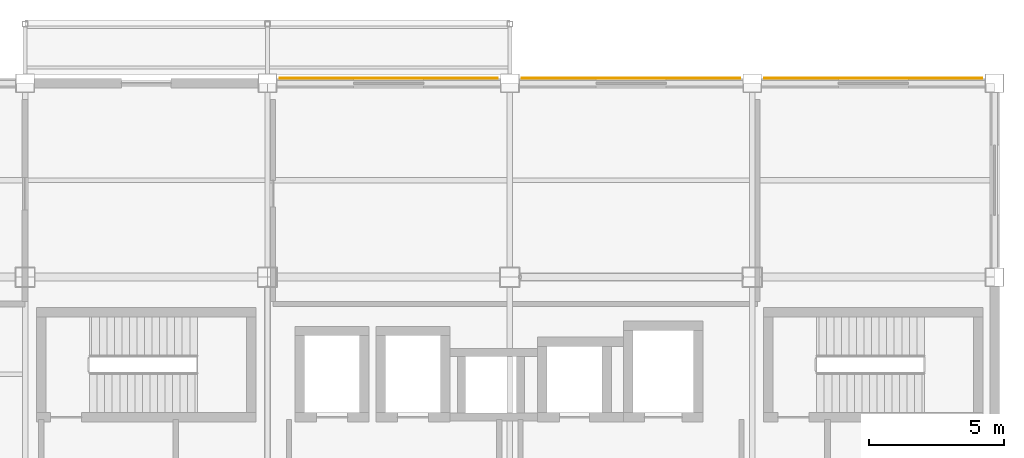
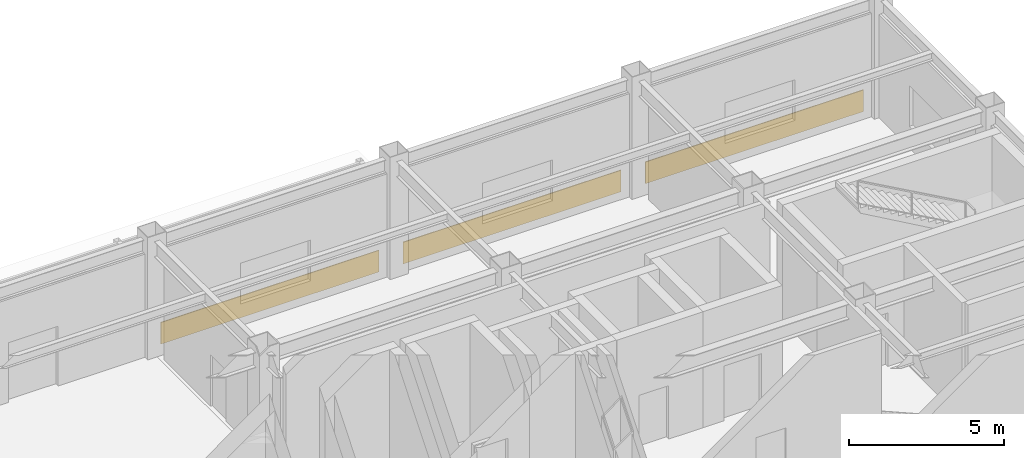
# One storey, part 111 of 112: 3 coverings.
"""IFC4 building model written with IfcOpenShell, lengths in metres."""

import ifcopenshell
import ifcopenshell.guid

model = None  # the IFC model being written
_history = None  # IfcOwnerHistory: only IFC2X3 demands one
_inside = {}  # id of a spatial element -> (the spatial element, [elements in it])
_under = {}  # id of a project, library or spatial element -> (it, [spatial elements below it])
_declared = {}  # id of a project -> (the project, [libraries it declares])
_typed = {}  # id of a type object -> (the type object, [elements of that type])
_made_of = {}  # id of a material, layer set ... -> (it, [elements and type objects made of it])


def new_model(schema):
    """Start an empty IFC model of exactly this schema.

    Asked for "IFC4X3", IfcOpenShell would pick the latest addendum, in which some entities
    have other attributes; the version numbers below select the first issue.
    IFC2X3 requires an IfcOwnerHistory on every rooted entity: one is made here for all.
    """
    global model, _history
    if schema == "IFC4X3":
        model = ifcopenshell.file(schema_version=(4, 3, 0, 0))
    else:
        model = ifcopenshell.file(schema=schema)
    _inside.clear()
    _under.clear()
    _declared.clear()
    _typed.clear()
    _made_of.clear()
    _history = None
    if model.schema == "IFC2X3":
        org = make("IfcOrganization", Name="unknown")
        user = make(
            "IfcPersonAndOrganization",
            ThePerson=make("IfcPerson", FamilyName="unknown"),
            TheOrganization=org,
        )
        app = make(
            "IfcApplication",
            ApplicationDeveloper=org,
            Version="unknown",
            ApplicationFullName="unknown",
            ApplicationIdentifier="unknown",
        )
        _history = make(
            "IfcOwnerHistory",
            OwningUser=user,
            OwningApplication=app,
            ChangeAction="ADDED",
            CreationDate=0,
        )
    return model


def make(cls, **values):
    """One entity of the class cls with the attributes given. An attribute that is None is left unset."""
    return model.create_entity(
        cls, **{name: value for name, value in values.items() if value is not None}
    )


def rooted(cls, **values):
    """An entity with a GlobalId (a new one), such as an element, a storey or a relation."""
    return make(cls, GlobalId=ifcopenshell.guid.new(), OwnerHistory=_history, **values)


def si_unit(unit_type, name, prefix=None):
    """IfcSIUnit, for example si_unit("LENGTHUNIT", "METRE", prefix="MILLI")."""
    return make("IfcSIUnit", UnitType=unit_type, Prefix=prefix, Name=name)


def assignment(units):
    """IfcUnitAssignment: the units of a project."""
    return None if units is None else make("IfcUnitAssignment", Units=units)


def point(xyz):
    """IfcCartesianPoint."""
    return None if xyz is None else make("IfcCartesianPoint", Coordinates=xyz)


def direction(xyz):
    """IfcDirection."""
    return None if xyz is None else make("IfcDirection", DirectionRatios=xyz)


def frame(location, z_axis=None, x_axis=None):
    """IfcAxis2Placement3D, a coordinate frame: its origin and axes. An axis left out is left unset."""
    return make(
        "IfcAxis2Placement3D",
        Location=point(location),
        Axis=direction(z_axis),
        RefDirection=direction(x_axis),
    )


def frame_2d(location, x_axis=None):
    """IfcAxis2Placement2D, a coordinate frame in the plane: its origin and x axis."""
    return make(
        "IfcAxis2Placement2D", Location=point(location), RefDirection=direction(x_axis)
    )


def origin():
    """The frame at (0, 0, 0) with its axes left unset."""
    return frame((0.0, 0.0, 0.0))


def origin_2d():
    """The frame at (0, 0) in the plane with its x axis left unset."""
    return frame_2d((0.0, 0.0))


def place(relative_to, where):
    """IfcLocalPlacement: puts the frame where relative to a parent placement (None: the world)."""
    return make(
        "IfcLocalPlacement", PlacementRelTo=relative_to, RelativePlacement=where
    )


def context(
    kind, dimensions, precision=None, world=None, true_north=None, identifier=None
):
    """IfcGeometricRepresentationContext, for example the 3D "Model" context."""
    return make(
        "IfcGeometricRepresentationContext",
        ContextIdentifier=identifier,
        ContextType=kind,
        CoordinateSpaceDimension=dimensions,
        Precision=precision,
        WorldCoordinateSystem=world,
        TrueNorth=true_north,
    )


def subcontext(parent, identifier, kind, view, scale=None):
    """IfcGeometricRepresentationSubContext, for example "Body" below "Model"."""
    return make(
        "IfcGeometricRepresentationSubContext",
        ContextIdentifier=identifier,
        ContextType=kind,
        ParentContext=parent,
        TargetScale=scale,
        TargetView=view,
    )


def project(units=None, contexts=None):
    """IfcProject with its units and contexts."""
    return rooted(
        "IfcProject",
        Name="project",
        RepresentationContexts=contexts,
        UnitsInContext=assignment(units),
    )


def spatial(cls, under=None, at=None, **own):
    """A site, building, storey or space (cls), placed at a placement, below another one or the project."""
    s = rooted(cls, ObjectPlacement=at, **own)
    if under is not None:
        _under.setdefault(under.id(), (under, []))[1].append(s)
    return s


def profile(cls, at=None, kind="AREA", **sizes):
    """A parametric profile (cls). Its sizes go by their IFC names, for example OverallWidth=200.0."""
    return make(cls, ProfileType=kind, Position=at, **sizes)


def rectangle(**sizes):
    """IfcRectangleProfileDef."""
    return profile("IfcRectangleProfileDef", **sizes)


def extrude(swept, where, along, depth):
    """IfcExtrudedAreaSolid: the profile swept, set in the frame where, extruded along a direction by depth."""
    return make(
        "IfcExtrudedAreaSolid",
        SweptArea=swept,
        Position=where,
        ExtrudedDirection=direction(along),
        Depth=depth,
    )


def shape(context_of_items, identifier, shape_type, items):
    """IfcShapeRepresentation: the items that make up one representation, for example the "Body"."""
    return make(
        "IfcShapeRepresentation",
        ContextOfItems=context_of_items,
        RepresentationIdentifier=identifier,
        RepresentationType=shape_type,
        Items=items,
    )


def material(Name=None, Category=None):
    """IfcMaterial."""
    return make("IfcMaterial", Name=Name, Category=Category)


def layer(
    of_material, thickness, ventilated=None, Name=None, Category=None, Priority=None
):
    """IfcMaterialLayer: one layer of a wall or slab, of a material (None: an air gap)."""
    return make(
        "IfcMaterialLayer",
        Material=of_material,
        LayerThickness=thickness,
        IsVentilated=ventilated,
        Name=Name,
        Category=Category,
        Priority=Priority,
    )


def layer_set(layers, Name=None):
    """IfcMaterialLayerSet."""
    return make("IfcMaterialLayerSet", MaterialLayers=layers, LayerSetName=Name)


def made_of(thing, what):
    """Note that an element or type object is made of a material, layer set ...; save() writes the relation."""
    if what is not None:
        _made_of.setdefault(what.id(), (what, []))[1].append(thing)
    return thing


def type_object(cls, material=None, **own):
    """A type object (cls), such as IfcWallType, which elements share."""
    return made_of(rooted(cls, **own), material)


def element(
    cls,
    number,
    at=None,
    inside=None,
    cuts=None,
    type_object=None,
    material=None,
    context=None,
    identifier="Body",
    shape_type=None,
    held_by="IfcProductDefinitionShape",
    body=None,
    shapes=None,
    **own,
):
    """One element of the class cls, such as IfcWall. Its Tag is "e" and its number.

    at: its placement. inside: the storey or other place that contains it. cuts: it is an
    opening in that element (IfcRelVoidsElement). A single representation is given by context,
    identifier, shape_type and body (its items); several are given by shapes. held_by: the class
    of the entity that holds the representations. save() writes the other relations.
    """
    e = rooted(cls, Tag="e%d" % number, ObjectPlacement=at, **own)
    if body is not None:
        shapes = [shape(context, identifier, shape_type, body)]
    if shapes is not None:
        e.Representation = make(held_by, Representations=shapes)
    if inside is not None:
        _inside.setdefault(inside.id(), (inside, []))[1].append(e)
    if cuts is not None:
        rooted(
            "IfcRelVoidsElement", RelatingBuildingElement=cuts, RelatedOpeningElement=e
        )
    if type_object is not None:
        _typed.setdefault(type_object.id(), (type_object, []))[1].append(e)
    return made_of(e, material)


def aggregate(whole, parts):
    """IfcRelAggregates: a whole, such as a stair, and the parts it consists of."""
    return rooted("IfcRelAggregates", RelatingObject=whole, RelatedObjects=parts)


def save(model, path):
    """Write the relations noted so far, then the file.

    IfcRelAggregates (storeys below a building ...), IfcRelContainedInSpatialStructure (elements
    in a storey), IfcRelDefinesByType, IfcRelAssociatesMaterial and IfcRelDeclares: one each for
    every whole, place, type object, material and project.
    """
    for whole, parts in _under.values():
        aggregate(whole, parts)
    for where, things in _inside.values():
        rooted(
            "IfcRelContainedInSpatialStructure",
            RelatedElements=things,
            RelatingStructure=where,
        )
    for kind, things in _typed.values():
        rooted("IfcRelDefinesByType", RelatedObjects=things, RelatingType=kind)
    for what, things in _made_of.values():
        rooted("IfcRelAssociatesMaterial", RelatedObjects=things, RelatingMaterial=what)
    for by, libraries in _declared.values():
        rooted("IfcRelDeclares", RelatingContext=by, RelatedDefinitions=libraries)
    model.write(path)


model = new_model("IFC4")

# Units and contexts
model_context = context("Model", 3, precision=1e-05, world=origin(), true_north=direction((0.0, 1.0)))
body_context = subcontext(model_context, "Body", "Model", "MODEL_VIEW")
ifc_project = project(units=[si_unit("LENGTHUNIT", "METRE"), si_unit("AREAUNIT", "SQUARE_METRE"), si_unit("VOLUMEUNIT", "CUBIC_METRE"), si_unit("PLANEANGLEUNIT", "RADIAN"), si_unit("MASSUNIT", "GRAM", prefix="KILO")], contexts=[model_context])

# Site, building, storey
site_placement = place(None, origin())
site = spatial("IfcSite", under=ifc_project, at=site_placement, CompositionType="ELEMENT")
building_placement = place(site_placement, origin())
building = spatial("IfcBuilding", under=site, at=building_placement, Name="Kazanami Central Library", CompositionType="ELEMENT")
storey_placement = place(building_placement, origin())
storey = spatial("IfcBuildingStorey", under=building, at=storey_placement, Name="L01", CompositionType="ELEMENT", Elevation=0.0)

# Coverings
ifc_material = material(Name="Honed Inada Granite", Category="masonry")
ifc_layer = layer(ifc_material, 0.030029296875, Name="Honed Inada Granite")
ifc_layer_set = layer_set([ifc_layer], Name="Honed Inada Granite")
covering_type = type_object("IfcCoveringType", Name="COV-CLD-30", PredefinedType="CLADDING", material=ifc_layer_set)
for number, where, z_axis, x_axis, name in (
    (1, (139.5, 93.7900390625, 0.02490234375), (0.0, 0.0, 1.0), (-1.0, 0.0, 0.0), "Honed Inada Granite Plinth CLD-30 N-O-15"),
    (2, (148.5, 93.7900390625, 0.02490234375), (0.0, 0.0, 1.0), (-1.0, 0.0, 0.0), "Honed Inada Granite Plinth CLD-30 N-O-16"),
    (3, (157.5, 93.7900390625, 0.02490234375), (0.0, 0.0, 1.0), (-1.0, 0.0, 0.0), "Honed Inada Granite Plinth CLD-30 N-O-17"),
):
    element("IfcCovering", number, at=place(storey_placement, frame(where, z_axis=z_axis, x_axis=x_axis)), inside=storey, type_object=covering_type, Name=name, PredefinedType="CLADDING", context=body_context, shape_type="SweptSolid", body=[
        extrude(rectangle(XDim=8.10009765625, YDim=0.030029296875, at=origin_2d()), origin(), (0.0, 0.0, 1.0), 0.85009765625),
    ])

save(model, "model.ifc")
